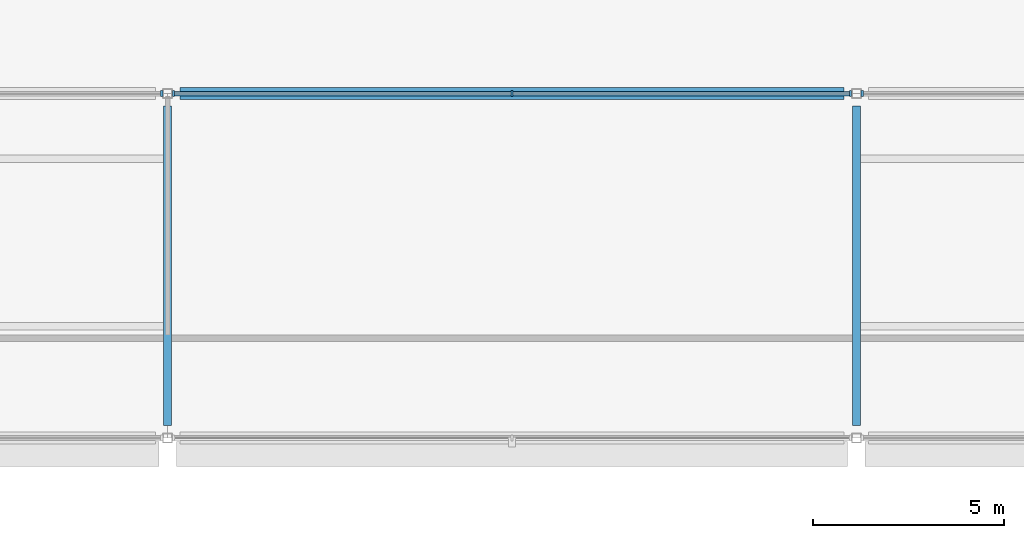
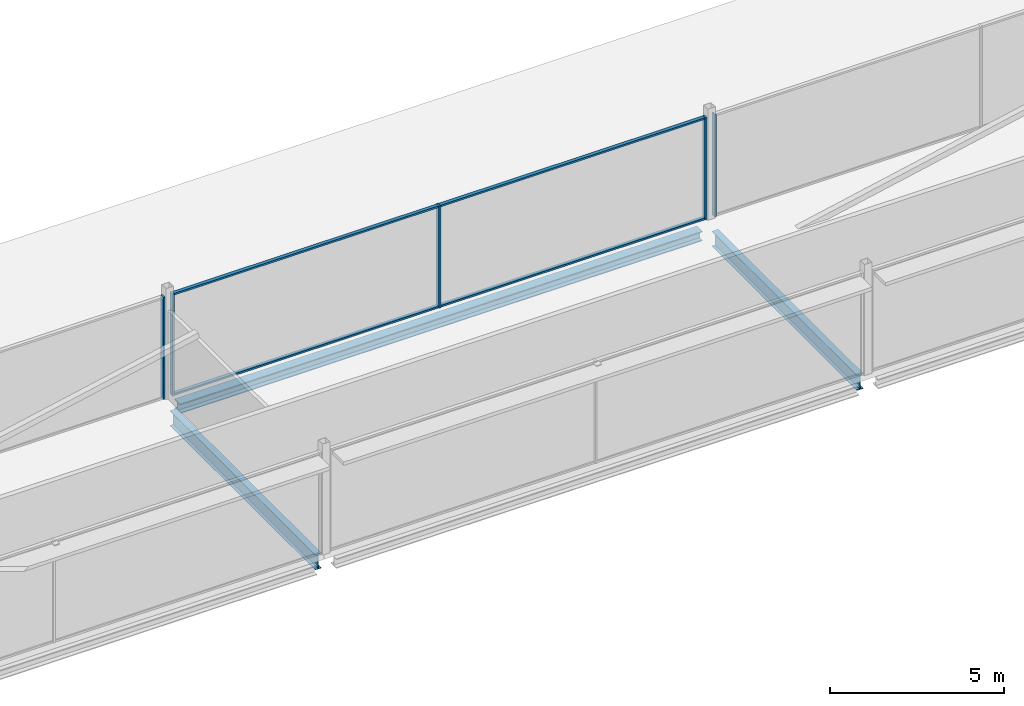
# One storey, part 27 of 105: 9 members, 3 beams, 3 elements without a shape of their own.
"""IFC4 building model written with IfcOpenShell, lengths in metres."""

from ifc_helpers import new_model, si_unit, direction, frame, origin, origin_2d, place, context, subcontext, project, spatial, rectangle, i_section, extrude, material, layer, layer_set, material_profile, profile_set, type_object, element, aggregate, save


model = new_model("IFC4")

# Units and contexts
model_context = context("Model", 3, precision=1e-05, world=origin(), true_north=direction((0.0, 1.0)))
body_context = subcontext(model_context, "Body", "Model", "MODEL_VIEW")
ifc_project = project(units=[si_unit("LENGTHUNIT", "METRE"), si_unit("AREAUNIT", "SQUARE_METRE"), si_unit("VOLUMEUNIT", "CUBIC_METRE"), si_unit("PLANEANGLEUNIT", "RADIAN"), si_unit("MASSUNIT", "GRAM", prefix="KILO")], contexts=[model_context])

# Site, building, storey
site_placement = place(None, origin())
site = spatial("IfcSite", under=ifc_project, at=site_placement, CompositionType="ELEMENT")
building_placement = place(site_placement, origin())
building = spatial("IfcBuilding", under=site, at=building_placement, Name="Kisiwana Market Hall", CompositionType="ELEMENT")
storey_placement = place(building_placement, frame((0.0, 0.0, 21.60009765625)))
storey = spatial("IfcBuildingStorey", under=building, at=storey_placement, Name="L04", CompositionType="ELEMENT", Elevation=21.60009765625)

# Beams
ifc_material_1 = material(Name="Steel S355", Category="steel")
ifc_material_profile_1 = material_profile(ifc_material_1, i_section(OverallWidth=0.209228515625, OverallDepth=0.533203125, WebThickness=0.010009765625, FlangeThickness=0.015625, at=origin_2d()), Name="UB 533x210x92")
ifc_profile_set_1 = profile_set([ifc_material_profile_1], Name="Steel S355")
beam_type_1 = type_object("IfcBeamType", Name="BM-GIRD-UB533", PredefinedType="BEAM", material=ifc_profile_set_1)
for number, where, z_axis, x_axis, name in (
    (1, (99.0, 18.321044921875, -0.53173828125), (0.0, 1.0, 0.0), (-1.0, 0.0, 0.0), "Primary girder B-1363"),
    (2, (117.0, 18.321044921875, -0.53173828125), (0.0, 1.0, 0.0), (-1.0, 0.0, 0.0), "Primary girder B-1365"),
):
    element("IfcBeam", number, at=place(storey_placement, frame(where, z_axis=z_axis, x_axis=x_axis)), inside=storey, type_object=beam_type_1, Name=name, PredefinedType="BEAM", context=body_context, shape_type="SweptSolid", body=[
        extrude(i_section(OverallWidth=0.209228515625, OverallDepth=0.533203125, WebThickness=0.010009765625, FlangeThickness=0.015625, at=origin_2d()), origin(), (0.0, 0.0, 1.0), 8.35791015625),
    ])
ifc_material_2 = material(Name="Steel S355", Category="steel")
ifc_material_profile_2 = material_profile(ifc_material_2, i_section(OverallWidth=0.314453125, OverallDepth=0.33984375, WebThickness=0.01904296875, FlangeThickness=0.031494140625, at=origin_2d()), Name="UC 305x305x198")
ifc_profile_set_2 = profile_set([ifc_material_profile_2], Name="Steel S355")
beam_type_2 = type_object("IfcBeamType", Name="BM-SKYBR-CHORD", PredefinedType="BEAM", material=ifc_profile_set_2)
beam_placement = place(storey_placement, frame((99.321044921875, 27.0, -0.462158203125), z_axis=(1.0, 0.0, 0.0), x_axis=(0.0, 1.0, 0.0)))
element("IfcBeam", 3, at=beam_placement, inside=storey, type_object=beam_type_2, Name="Floor beam B-1440", PredefinedType="BEAM", context=body_context, shape_type="SweptSolid", body=[
    extrude(i_section(OverallWidth=0.314453125, OverallDepth=0.33984375, WebThickness=0.01904296875, FlangeThickness=0.031494140625, at=origin_2d()), origin(), (0.0, 0.0, 1.0), 17.35791015625),
])

# Curtain wall, member
ifc_material_3 = material(Name="Double-glazed solar-control low-E IGU", Category="glass")
ifc_layer = layer(ifc_material_3, 0.159912109375)
ifc_layer_set = layer_set([ifc_layer], Name="CW-ZNA-EW-8200")
curtain_wall_type = type_object("IfcCurtainWallType", Name="CW-ZNA-EW-8200", PredefinedType="USERDEFINED", material=ifc_layer_set)
curtain_wall_1_placement = place(storey_placement, origin())
curtain_wall_1 = element("IfcCurtainWall", 4, at=curtain_wall_1_placement, inside=storey, type_object=curtain_wall_type, Name="Unitised curtain wall CW-100 (L04)", ObjectType="UNITISED CURTAIN WALL", PredefinedType="USERDEFINED")
ifc_material_4 = material(Name="Aluminium alloy 6063-T6", Category="aluminium")
ifc_material_profile_3 = material_profile(ifc_material_4, rectangle(XDim=0.06005859375, YDim=0.159912109375, at=origin_2d()), Name="ALU MULLION 60x160")
ifc_profile_set_3 = profile_set([ifc_material_profile_3], Name="Aluminium alloy 6063-T6")
member_type_1 = type_object("IfcMemberType", Name="CW-MULL-60x160", PredefinedType="MULLION", material=ifc_profile_set_3)
member_1_placement = place(storey_placement, frame((98.844970703125, 27.0, 0.0), z_axis=(0.0, 0.0, 1.0), x_axis=(1.0, 0.0, 0.0)))
member_1 = element("IfcMember", 5, at=member_1_placement, type_object=member_type_1, Name="CW-100 mullion 3", PredefinedType="MULLION", context=body_context, shape_type="SweptSolid", body=[
    extrude(rectangle(XDim=0.06005859375, YDim=0.159912109375, at=origin_2d()), origin(), (0.0, 0.0, 1.0), 3.5849609375),
])
aggregate(curtain_wall_1, [member_1])

# Curtain wall, members
curtain_wall_2_placement = place(storey_placement, origin())
curtain_wall_2 = element("IfcCurtainWall", 6, at=curtain_wall_2_placement, inside=storey, type_object=curtain_wall_type, Name="Unitised curtain wall CW-101 (L04)", ObjectType="UNITISED CURTAIN WALL", PredefinedType="USERDEFINED")
member_2_placement = place(storey_placement, frame((99.155029296875, 27.0, 0.0), z_axis=(0.0, 0.0, 1.0), x_axis=(1.0, 0.0, 0.0)))
member_2 = element("IfcMember", 7, at=member_2_placement, type_object=member_type_1, Name="CW-101 mullion 1", PredefinedType="MULLION", context=body_context, shape_type="SweptSolid", body=[
    extrude(rectangle(XDim=0.06005859375, YDim=0.159912109375, at=origin_2d()), origin(), (0.0, 0.0, 1.0), 3.5849609375),
])
member_3_placement = place(storey_placement, frame((108.0, 27.0, 0.0), z_axis=(0.0, 0.0, 1.0), x_axis=(1.0, 0.0, 0.0)))
member_3 = element("IfcMember", 8, at=member_3_placement, type_object=member_type_1, Name="CW-101 mullion 2", PredefinedType="MULLION", context=body_context, shape_type="SweptSolid", body=[
    extrude(rectangle(XDim=0.06005859375, YDim=0.159912109375, at=origin_2d()), origin(), (0.0, 0.0, 1.0), 3.5849609375),
])
member_4_placement = place(storey_placement, frame((116.844970703125, 27.0, 0.0), z_axis=(0.0, 0.0, 1.0), x_axis=(1.0, 0.0, 0.0)))
member_4 = element("IfcMember", 9, at=member_4_placement, type_object=member_type_1, Name="CW-101 mullion 3", PredefinedType="MULLION", context=body_context, shape_type="SweptSolid", body=[
    extrude(rectangle(XDim=0.06005859375, YDim=0.159912109375, at=origin_2d()), origin(), (0.0, 0.0, 1.0), 3.5849609375),
])

# Curtain wall, member
curtain_wall_3_placement = place(storey_placement, origin())
curtain_wall_3 = element("IfcCurtainWall", 10, at=curtain_wall_3_placement, inside=storey, type_object=curtain_wall_type, Name="Unitised curtain wall CW-102 (L04)", ObjectType="UNITISED CURTAIN WALL", PredefinedType="USERDEFINED")
member_5_placement = place(storey_placement, frame((117.155029296875, 27.0, 0.0), z_axis=(0.0, 0.0, 1.0), x_axis=(1.0, 0.0, 0.0)))
member_5 = element("IfcMember", 11, at=member_5_placement, type_object=member_type_1, Name="CW-102 mullion 1", PredefinedType="MULLION", context=body_context, shape_type="SweptSolid", body=[
    extrude(rectangle(XDim=0.06005859375, YDim=0.159912109375, at=origin_2d()), origin(), (0.0, 0.0, 1.0), 3.5849609375),
])
aggregate(curtain_wall_3, [member_5])

# Member
ifc_material_5 = material(Name="Aluminium alloy 6063-T6", Category="aluminium")
ifc_material_profile_4 = material_profile(ifc_material_5, rectangle(XDim=0.1201171875, YDim=0.06005859375, at=origin_2d()), Name="ALU TRANSOM 60x120")
ifc_profile_set_4 = profile_set([ifc_material_profile_4], Name="Aluminium alloy 6063-T6")
member_type_2 = type_object("IfcMemberType", Name="CW-TRAN-60x120", PredefinedType="USERDEFINED", material=ifc_profile_set_4)
member_6_placement = place(storey_placement, frame((99.18505859375, 27.0, 0.02978515625), z_axis=(1.0, 0.0, 0.0), x_axis=(0.0, 1.0, 0.0)))
member_6 = element("IfcMember", 12, at=member_6_placement, type_object=member_type_2, Name="CW-101 transom 1.1", ObjectType="TRANSOM", PredefinedType="USERDEFINED", context=body_context, shape_type="SweptSolid", body=[
    extrude(rectangle(XDim=0.1201171875, YDim=0.06005859375, at=origin_2d()), origin(), (0.0, 0.0, 1.0), 8.784912109375),
])

member_7_placement = place(storey_placement, frame((99.18505859375, 27.0, 3.554931640625), z_axis=(1.0, 0.0, 0.0), x_axis=(0.0, 1.0, 0.0)))
member_7 = element("IfcMember", 13, at=member_7_placement, type_object=member_type_2, Name="CW-101 transom 1.2", ObjectType="TRANSOM", PredefinedType="USERDEFINED", context=body_context, shape_type="SweptSolid", body=[
    extrude(rectangle(XDim=0.1201171875, YDim=0.06005859375, at=origin_2d()), origin(), (0.0, 0.0, 1.0), 8.784912109375),
])

member_8_placement = place(storey_placement, frame((108.030029296875, 27.0, 0.02978515625), z_axis=(1.0, 0.0, 0.0), x_axis=(0.0, 1.0, 0.0)))
member_8 = element("IfcMember", 14, at=member_8_placement, type_object=member_type_2, Name="CW-101 transom 2.1", ObjectType="TRANSOM", PredefinedType="USERDEFINED", context=body_context, shape_type="SweptSolid", body=[
    extrude(rectangle(XDim=0.1201171875, YDim=0.06005859375, at=origin_2d()), origin(), (0.0, 0.0, 1.0), 8.784912109375),
])

member_9_placement = place(storey_placement, frame((108.030029296875, 27.0, 3.554931640625), z_axis=(1.0, 0.0, 0.0), x_axis=(0.0, 1.0, 0.0)))
member_9 = element("IfcMember", 15, at=member_9_placement, type_object=member_type_2, Name="CW-101 transom 2.2", ObjectType="TRANSOM", PredefinedType="USERDEFINED", context=body_context, shape_type="SweptSolid", body=[
    extrude(rectangle(XDim=0.1201171875, YDim=0.06005859375, at=origin_2d()), origin(), (0.0, 0.0, 1.0), 8.784912109375),
])

aggregate(curtain_wall_2, [member_2, member_3, member_4, member_6, member_7, member_8, member_9])

save(model, "model.ifc")
